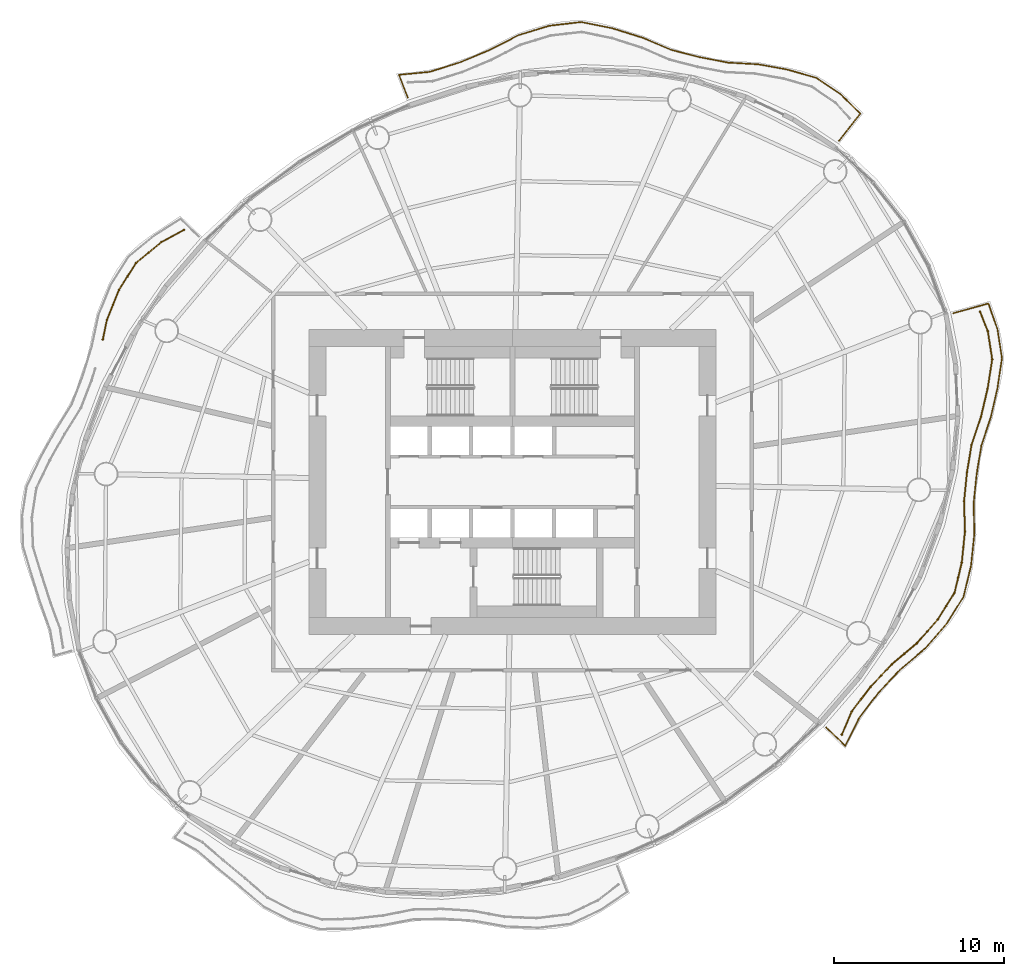
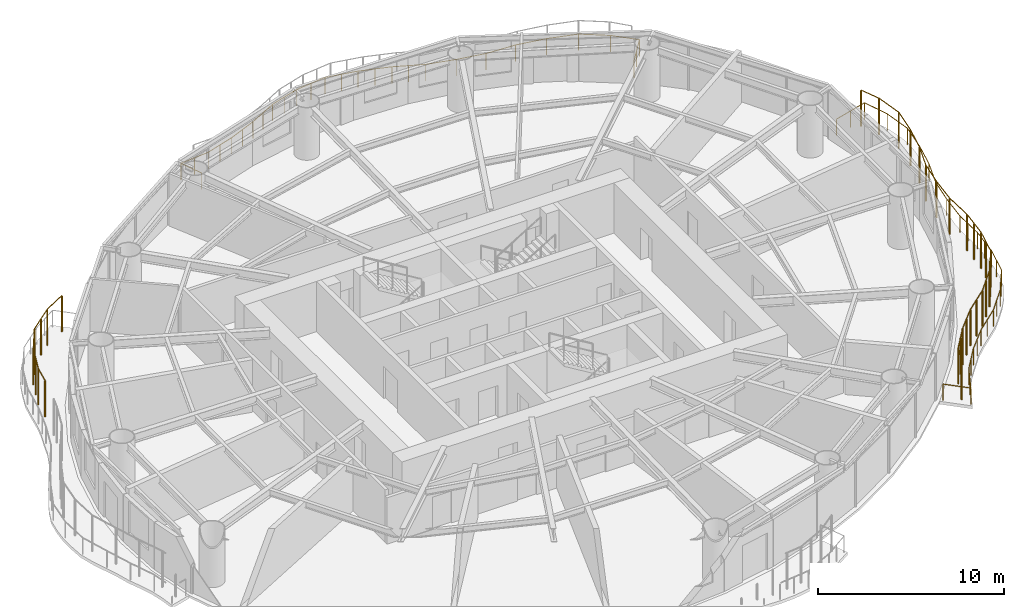
# One storey, part 14 of 15: 4 railings.
"""IFC4 building model written with IfcOpenShell, lengths in metres."""

from ifc_helpers import new_model, si_unit, direction, frame, origin, origin_2d, place, context, subcontext, project, spatial, circle, extrude, material, type_object, element, save


model = new_model("IFC4")

# Units and contexts
model_context = context("Model", 3, precision=1e-05, world=origin(), true_north=direction((0.0, 1.0)))
body_context = subcontext(model_context, "Body", "Model", "MODEL_VIEW")
ifc_project = project(units=[si_unit("LENGTHUNIT", "METRE"), si_unit("AREAUNIT", "SQUARE_METRE"), si_unit("VOLUMEUNIT", "CUBIC_METRE"), si_unit("PLANEANGLEUNIT", "RADIAN"), si_unit("MASSUNIT", "GRAM", prefix="KILO")], contexts=[model_context])

# Site, building, storey
site_placement = place(None, origin())
site = spatial("IfcSite", under=ifc_project, at=site_placement, CompositionType="ELEMENT")
building_placement = place(site_placement, origin())
building = spatial("IfcBuilding", under=site, at=building_placement, Name="Vermilion Reach Broadcast Tower", CompositionType="ELEMENT")
storey_placement = place(building_placement, frame((0.0, 0.0, 168.60009765625)))
storey = spatial("IfcBuildingStorey", under=building, at=storey_placement, Name="L40", CompositionType="ELEMENT", Elevation=168.60009765625)

# Railings
ifc_material_1 = material(Name="Terracotta baguette", Category="masonry")
railing_type_1 = type_object("IfcRailingType", Name="BAGUETTE SCREEN", PredefinedType="USERDEFINED", material=ifc_material_1)
railing_1_placement = place(storey_placement, frame((-25.376708984375, 14.862060546875, 0.0)))
element("IfcRailing", 1, at=railing_1_placement, inside=storey, type_object=railing_type_1, Name="Baguette screen L40 group 2 part 1", ObjectType="BAGUETTE SCREEN", PredefinedType="USERDEFINED", context=body_context, shape_type="SweptSolid", body=[
    extrude(circle(Radius=0.030029296875, at=origin_2d()), frame((0.0, 0.0, 2.369873046875), z_axis=(-0.878532833065, -0.477681966613, 0.0), x_axis=(0.477681966613, -0.878532833065, 0.0)), (0.0, 0.0, 1.0), 1.506103515625),
    extrude(circle(Radius=0.030029296875, at=origin_2d()), frame((-1.3232421875, -0.719482421875, 2.369873046875), z_axis=(-0.772163007651, -0.635424495606, 0.0), x_axis=(0.635424495606, -0.772163007651, 0.0)), (0.0, 0.0, 1.0), 1.937255859375),
    extrude(circle(Radius=0.030029296875, at=origin_2d()), frame((-2.819091796875, -1.950439453125, 2.369873046875), z_axis=(-0.53445646002, -0.845196008239, 0.0), x_axis=(0.845196008239, -0.53445646002, 0.0)), (0.0, 0.0, 1.0), 1.882568359375),
    extrude(circle(Radius=0.030029296875, at=origin_2d()), frame((-3.8251953125, -3.54150390625, 2.369873046875), z_axis=(-0.372297689537, -0.928113371504, 0.0), x_axis=(0.928113371504, -0.372297689537, 0.0)), (0.0, 0.0, 1.0), 1.90234375),
    extrude(circle(Radius=0.030029296875, at=origin_2d()), frame((-4.533447265625, -5.30712890625, 2.369873046875), z_axis=(-0.205612713638, -0.978633441075, 0.0), x_axis=(0.978633441075, -0.205612713638, 0.0)), (0.0, 0.0, 1.0), 1.175537109375),
    extrude(circle(Radius=0.050048828125, at=origin_2d()), origin(), (0.0, 0.0, 1.0), 2.33984375),
    extrude(circle(Radius=0.050048828125, at=origin_2d()), frame((-1.3232421875, -0.719482421875, 0.0)), (0.0, 0.0, 1.0), 2.33984375),
    extrude(circle(Radius=0.050048828125, at=origin_2d()), frame((-2.0712890625, -1.3349609375, 0.0)), (0.0, 0.0, 1.0), 2.33984375),
    extrude(circle(Radius=0.050048828125, at=origin_2d()), frame((-2.819091796875, -1.950439453125, 0.0)), (0.0, 0.0, 1.0), 2.33984375),
    extrude(circle(Radius=0.050048828125, at=origin_2d()), frame((-3.322265625, -2.74609375, 0.0)), (0.0, 0.0, 1.0), 2.33984375),
    extrude(circle(Radius=0.050048828125, at=origin_2d()), frame((-3.8251953125, -3.54150390625, 0.0)), (0.0, 0.0, 1.0), 2.33984375),
    extrude(circle(Radius=0.050048828125, at=origin_2d()), frame((-4.17919921875, -4.42431640625, 0.0)), (0.0, 0.0, 1.0), 2.33984375),
    extrude(circle(Radius=0.050048828125, at=origin_2d()), frame((-4.533447265625, -5.30712890625, 0.0)), (0.0, 0.0, 1.0), 2.33984375),
    extrude(circle(Radius=0.050048828125, at=origin_2d()), frame((-4.775146484375, -6.45751953125, 0.0)), (0.0, 0.0, 1.0), 2.33984375),
])
railing_2_placement = place(storey_placement, frame((13.416015625, -14.89990234375, 0.0)))
element("IfcRailing", 2, at=railing_2_placement, inside=storey, type_object=railing_type_1, Name="Baguette screen L40 group 4", ObjectType="BAGUETTE SCREEN", PredefinedType="USERDEFINED", context=body_context, shape_type="SweptSolid", body=[
    extrude(circle(Radius=0.030029296875, at=origin_2d()), frame((0.0, 0.0, 2.369873046875), z_axis=(0.392746879115, 0.919646610903, 0.0), x_axis=(-0.919646610903, 0.392746879115, 0.0)), (0.0, 0.0, 1.0), 1.483154296875),
    extrude(circle(Radius=0.030029296875, at=origin_2d()), frame((0.58251953125, 1.364013671875, 2.369873046875), z_axis=(0.606808215665, 0.794848280743, 0.0), x_axis=(-0.794848280743, 0.606808215665, 0.0)), (0.0, 0.0, 1.0), 1.8359375),
    extrude(circle(Radius=0.030029296875, at=origin_2d()), frame((1.696533203125, 2.8232421875, 2.369873046875), z_axis=(0.685735774565, 0.727850566725, 0.0), x_axis=(-0.727850566725, 0.685735774565, 0.0)), (0.0, 0.0, 1.0), 1.826171875),
    extrude(circle(Radius=0.030029296875, at=origin_2d()), frame((2.94873046875, 4.15234375, 2.369873046875), z_axis=(0.76537203757, 0.643588101278, 0.0), x_axis=(-0.643588101278, 0.76537203757, 0.0)), (0.0, 0.0, 1.0), 1.922607421875),
    extrude(circle(Radius=0.030029296875, at=origin_2d()), frame((4.420166015625, 5.3896484375, 2.369873046875), z_axis=(0.661945438349, 0.749552023977, 0.0), x_axis=(-0.749552023977, 0.661945438349, 0.0)), (0.0, 0.0, 1.0), 1.869873046875),
    extrude(circle(Radius=0.030029296875, at=origin_2d()), frame((5.657958984375, 6.791259765625, 2.369873046875), z_axis=(0.531518746276, 0.847046529039, 0.0), x_axis=(-0.847046529039, 0.531518746276, 0.0)), (0.0, 0.0, 1.0), 1.861572265625),
    extrude(circle(Radius=0.030029296875, at=origin_2d()), frame((6.6474609375, 8.3681640625, 2.369873046875), z_axis=(0.232383931365, 0.972624135236, 0.0), x_axis=(-0.972624135236, 0.232383931365, 0.0)), (0.0, 0.0, 1.0), 1.830078125),
    extrude(circle(Radius=0.030029296875, at=origin_2d()), frame((7.07275390625, 10.148193359375, 2.369873046875), z_axis=(0.101081742623, 0.994878123846, 0.0), x_axis=(-0.994878123846, 0.101081742623, 0.0)), (0.0, 0.0, 1.0), 1.838134765625),
    extrude(circle(Radius=0.030029296875, at=origin_2d()), frame((7.258544921875, 11.976806640625, 2.369873046875), z_axis=(-0.027491307366, 0.999622042584, 0.0), x_axis=(-0.999622042584, -0.027491307366, 0.0)), (0.0, 0.0, 1.0), 1.7939453125),
    extrude(circle(Radius=0.030029296875, at=origin_2d()), frame((7.209228515625, 13.77001953125, 2.369873046875), z_axis=(0.100027938376, 0.994984628798, 0.0), x_axis=(-0.994984628798, 0.100027938376, 0.0)), (0.0, 0.0, 1.0), 1.7060546875),
    extrude(circle(Radius=0.030029296875, at=origin_2d()), frame((7.3798828125, 15.467529296875, 2.369873046875), z_axis=(0.16358418541, 0.986529378318, 0.0), x_axis=(-0.986529378318, 0.16358418541, 0.0)), (0.0, 0.0, 1.0), 1.652099609375),
    extrude(circle(Radius=0.030029296875, at=origin_2d()), frame((7.650146484375, 17.097412109375, 2.369873046875), z_axis=(0.319357552784, 0.947634293111, 0.0), x_axis=(-0.947634293111, 0.319357552784, 0.0)), (0.0, 0.0, 1.0), 1.730712890625),
    extrude(circle(Radius=0.030029296875, at=origin_2d()), frame((8.202880859375, 18.737548828125, 2.369873046875), z_axis=(0.230167879984, 0.973150937431, 0.0), x_axis=(-0.973150937431, 0.230167879984, 0.0)), (0.0, 0.0, 1.0), 1.7119140625),
    extrude(circle(Radius=0.030029296875, at=origin_2d()), frame((8.596923828125, 20.403564453125, 2.369873046875), z_axis=(0.155029297995, 0.987909872794, 0.0), x_axis=(-0.987909872794, 0.155029297995, 0.0)), (0.0, 0.0, 1.0), 1.746337890625),
    extrude(circle(Radius=0.030029296875, at=origin_2d()), frame((8.86767578125, 22.12890625, 2.369873046875), z_axis=(-0.154350278564, 0.988016189901, 0.0), x_axis=(-0.988016189901, -0.154350278564, 0.0)), (0.0, 0.0, 1.0), 1.6796875),
    extrude(circle(Radius=0.030029296875, at=origin_2d()), frame((8.6083984375, 23.78857421875, 2.369873046875), z_axis=(-0.370340356415, 0.928896130044, 0.0), x_axis=(-0.928896130044, -0.370340356415, 0.0)), (0.0, 0.0, 1.0), 1.24267578125),
    extrude(circle(Radius=0.050048828125, at=origin_2d()), origin(), (0.0, 0.0, 1.0), 2.33984375),
    extrude(circle(Radius=0.050048828125, at=origin_2d()), frame((0.58251953125, 1.364013671875, 0.0)), (0.0, 0.0, 1.0), 2.33984375),
    extrude(circle(Radius=0.050048828125, at=origin_2d()), frame((1.1396484375, 2.09375, 0.0)), (0.0, 0.0, 1.0), 2.33984375),
    extrude(circle(Radius=0.050048828125, at=origin_2d()), frame((1.696533203125, 2.8232421875, 0.0)), (0.0, 0.0, 1.0), 2.33984375),
    extrude(circle(Radius=0.050048828125, at=origin_2d()), frame((2.32275390625, 3.48779296875, 0.0)), (0.0, 0.0, 1.0), 2.33984375),
    extrude(circle(Radius=0.050048828125, at=origin_2d()), frame((2.94873046875, 4.15234375, 0.0)), (0.0, 0.0, 1.0), 2.33984375),
    extrude(circle(Radius=0.050048828125, at=origin_2d()), frame((3.6845703125, 4.77099609375, 0.0)), (0.0, 0.0, 1.0), 2.33984375),
    extrude(circle(Radius=0.050048828125, at=origin_2d()), frame((4.420166015625, 5.3896484375, 0.0)), (0.0, 0.0, 1.0), 2.33984375),
    extrude(circle(Radius=0.050048828125, at=origin_2d()), frame((5.0390625, 6.09033203125, 0.0)), (0.0, 0.0, 1.0), 2.33984375),
    extrude(circle(Radius=0.050048828125, at=origin_2d()), frame((5.657958984375, 6.791259765625, 0.0)), (0.0, 0.0, 1.0), 2.33984375),
    extrude(circle(Radius=0.050048828125, at=origin_2d()), frame((6.15283203125, 7.57958984375, 0.0)), (0.0, 0.0, 1.0), 2.33984375),
    extrude(circle(Radius=0.050048828125, at=origin_2d()), frame((6.6474609375, 8.3681640625, 0.0)), (0.0, 0.0, 1.0), 2.33984375),
    extrude(circle(Radius=0.050048828125, at=origin_2d()), frame((6.860107421875, 9.25830078125, 0.0)), (0.0, 0.0, 1.0), 2.33984375),
    extrude(circle(Radius=0.050048828125, at=origin_2d()), frame((7.07275390625, 10.148193359375, 0.0)), (0.0, 0.0, 1.0), 2.33984375),
    extrude(circle(Radius=0.050048828125, at=origin_2d()), frame((7.16552734375, 11.0625, 0.0)), (0.0, 0.0, 1.0), 2.33984375),
    extrude(circle(Radius=0.050048828125, at=origin_2d()), frame((7.258544921875, 11.976806640625, 0.0)), (0.0, 0.0, 1.0), 2.33984375),
    extrude(circle(Radius=0.050048828125, at=origin_2d()), frame((7.209228515625, 13.77001953125, 0.0)), (0.0, 0.0, 1.0), 2.33984375),
    extrude(circle(Radius=0.050048828125, at=origin_2d()), frame((7.3798828125, 15.467529296875, 0.0)), (0.0, 0.0, 1.0), 2.33984375),
    extrude(circle(Radius=0.050048828125, at=origin_2d()), frame((7.650146484375, 17.097412109375, 0.0)), (0.0, 0.0, 1.0), 2.33984375),
    extrude(circle(Radius=0.050048828125, at=origin_2d()), frame((8.202880859375, 18.737548828125, 0.0)), (0.0, 0.0, 1.0), 2.33984375),
    extrude(circle(Radius=0.050048828125, at=origin_2d()), frame((8.596923828125, 20.403564453125, 0.0)), (0.0, 0.0, 1.0), 2.33984375),
    extrude(circle(Radius=0.050048828125, at=origin_2d()), frame((8.86767578125, 22.12890625, 0.0)), (0.0, 0.0, 1.0), 2.33984375),
    extrude(circle(Radius=0.050048828125, at=origin_2d()), frame((8.6083984375, 23.78857421875, 0.0)), (0.0, 0.0, 1.0), 2.33984375),
    extrude(circle(Radius=0.050048828125, at=origin_2d()), frame((8.148193359375, 24.94287109375, 0.0)), (0.0, 0.0, 1.0), 2.33984375),
])
ifc_material_2 = material(Name="Stainless steel 316 balustrade", Category="steel")
railing_type_2 = type_object("IfcRailingType", Name="Balcony guard 1100", PredefinedType="BALUSTRADE", material=ifc_material_2)
railing_3_placement = place(storey_placement, frame((13.244384765625, 20.1083984375, 0.0)))
element("IfcRailing", 3, at=railing_3_placement, inside=storey, type_object=railing_type_2, Name="Balcony guard L40 group 1", PredefinedType="BALUSTRADE", context=body_context, shape_type="SweptSolid", body=[
    extrude(circle(Radius=0.02490234375, at=origin_2d()), frame((0.0, 0.0, 1.0751953125), z_axis=(0.620116079359, 0.784510068846, 0.0), x_axis=(-0.784510068846, 0.620116079359, 0.0)), (0.0, 0.0, 1.0), 2.04638671875),
    extrude(circle(Radius=0.02490234375, at=origin_2d()), frame((1.26904296875, 1.60546875, 1.0751953125), z_axis=(-0.714173555911, 0.69996866504, 0.0), x_axis=(-0.69996866504, -0.714173555911, 0.0)), (0.0, 0.0, 1.0), 1.615478515625),
    extrude(circle(Radius=0.02490234375, at=origin_2d()), frame((0.115234375, 2.736328125, 1.0751953125), z_axis=(-0.826302184421, 0.563227041273, 0.0), x_axis=(-0.563227041273, -0.826302184421, 0.0)), (0.0, 0.0, 1.0), 1.72509765625),
    extrude(circle(Radius=0.02490234375, at=origin_2d()), frame((-1.310302734375, 3.7080078125, 1.0751953125), z_axis=(-0.960838328602, 0.277109556473, 0.0), x_axis=(-0.277109556473, -0.960838328602, 0.0)), (0.0, 0.0, 1.0), 1.781494140625),
    extrude(circle(Radius=0.02490234375, at=origin_2d()), frame((-3.02197265625, 4.20166015625, 1.0751953125), z_axis=(-0.984007451338, 0.178127301979, 0.0), x_axis=(-0.178127301979, -0.984007451338, 0.0)), (0.0, 0.0, 1.0), 1.757080078125),
    extrude(circle(Radius=0.02490234375, at=origin_2d()), frame((-4.7509765625, 4.5146484375, 1.0751953125), z_axis=(-0.998394134467, 0.056649380066, 0.0), x_axis=(-0.056649380066, -0.998394134467, 0.0)), (0.0, 0.0, 1.0), 1.78857421875),
    extrude(circle(Radius=0.02490234375, at=origin_2d()), frame((-6.53662109375, 4.615966796875, 1.0751953125), z_axis=(-0.982262970498, 0.187508551241, 0.0), x_axis=(-0.187508551241, -0.982262970498, 0.0)), (0.0, 0.0, 1.0), 1.69775390625),
    extrude(circle(Radius=0.02490234375, at=origin_2d()), frame((-8.204345703125, 4.934326171875, 1.0751953125), z_axis=(-0.968584899006, 0.248683118482, 0.0), x_axis=(-0.248683118482, -0.968584899006, 0.0)), (0.0, 0.0, 1.0), 1.736572265625),
    extrude(circle(Radius=0.02490234375, at=origin_2d()), frame((-9.886474609375, 5.3662109375, 1.0751953125), z_axis=(-0.920656586612, 0.390373474417, 0.0), x_axis=(-0.390373474417, -0.920656586612, 0.0)), (0.0, 0.0, 1.0), 1.81298828125),
    extrude(circle(Radius=0.02490234375, at=origin_2d()), frame((-11.5556640625, 6.073974609375, 1.0751953125), z_axis=(-0.953767641297, 0.300544982349, 0.0), x_axis=(-0.300544982349, -0.953767641297, 0.0)), (0.0, 0.0, 1.0), 1.873291015625),
    extrude(circle(Radius=0.02490234375, at=origin_2d()), frame((-13.34228515625, 6.636962890625, 1.0751953125), z_axis=(-0.980253658042, 0.197744193077, 0.0), x_axis=(-0.197744193077, -0.980253658042, 0.0)), (0.0, 0.0, 1.0), 1.874267578125),
    extrude(circle(Radius=0.02490234375, at=origin_2d()), frame((-15.179443359375, 7.007568359375, 1.0751953125), z_axis=(-0.99337609926, -0.114908334851, 0.0), x_axis=(0.114908334851, -0.99337609926, 0.0)), (0.0, 0.0, 1.0), 1.890869140625),
    extrude(circle(Radius=0.02490234375, at=origin_2d()), frame((-17.057861328125, 6.790283203125, 1.0751953125), z_axis=(-0.956911848093, -0.290378571831, 0.0), x_axis=(0.290378571831, -0.956911848093, 0.0)), (0.0, 0.0, 1.0), 1.8984375),
    extrude(circle(Radius=0.02490234375, at=origin_2d()), frame((-18.87451171875, 6.239013671875, 1.0751953125), z_axis=(-0.889756647194, -0.456435218595, 0.0), x_axis=(0.456435218595, -0.889756647194, 0.0)), (0.0, 0.0, 1.0), 1.964599609375),
    extrude(circle(Radius=0.02490234375, at=origin_2d()), frame((-20.62255859375, 5.34228515625, 1.0751953125), z_axis=(-0.9237736145, -0.382939041042, 0.0), x_axis=(0.382939041042, -0.9237736145, 0.0)), (0.0, 0.0, 1.0), 1.87255859375),
    extrude(circle(Radius=0.02490234375, at=origin_2d()), frame((-22.352294921875, 4.625244140625, 1.0751953125), z_axis=(-0.954452056376, -0.29836432776, 0.0), x_axis=(0.29836432776, -0.954452056376, 0.0)), (0.0, 0.0, 1.0), 1.8671875),
    extrude(circle(Radius=0.02490234375, at=origin_2d()), frame((-24.134521484375, 4.068115234375, 1.0751953125), z_axis=(-0.995463923456, -0.095139776629, 0.0), x_axis=(0.095139776629, -0.995463923456, 0.0)), (0.0, 0.0, 1.0), 1.811767578125),
    extrude(circle(Radius=0.02490234375, at=origin_2d()), frame((-25.93798828125, 3.895751953125, 1.0751953125), z_axis=(0.361596896621, -0.932334534571, 0.0), x_axis=(0.932334534571, 0.361596896621, 0.0)), (0.0, 0.0, 1.0), 1.44287109375),
    extrude(circle(Radius=0.02490234375, at=origin_2d()), origin(), (0.0, 0.0, 1.0), 1.050048828125),
    extrude(circle(Radius=0.02490234375, at=origin_2d()), frame((0.634521484375, 0.802734375, 0.0)), (0.0, 0.0, 1.0), 1.050048828125),
    extrude(circle(Radius=0.02490234375, at=origin_2d()), frame((1.26904296875, 1.60546875, 0.0)), (0.0, 0.0, 1.0), 1.050048828125),
    extrude(circle(Radius=0.02490234375, at=origin_2d()), frame((0.115234375, 2.736328125, 0.0)), (0.0, 0.0, 1.0), 1.050048828125),
    extrude(circle(Radius=0.02490234375, at=origin_2d()), frame((-1.310302734375, 3.7080078125, 0.0)), (0.0, 0.0, 1.0), 1.050048828125),
    extrude(circle(Radius=0.02490234375, at=origin_2d()), frame((-3.02197265625, 4.20166015625, 0.0)), (0.0, 0.0, 1.0), 1.050048828125),
    extrude(circle(Radius=0.02490234375, at=origin_2d()), frame((-4.7509765625, 4.5146484375, 0.0)), (0.0, 0.0, 1.0), 1.050048828125),
    extrude(circle(Radius=0.02490234375, at=origin_2d()), frame((-6.53662109375, 4.615966796875, 0.0)), (0.0, 0.0, 1.0), 1.050048828125),
    extrude(circle(Radius=0.02490234375, at=origin_2d()), frame((-8.204345703125, 4.934326171875, 0.0)), (0.0, 0.0, 1.0), 1.050048828125),
    extrude(circle(Radius=0.02490234375, at=origin_2d()), frame((-9.886474609375, 5.3662109375, 0.0)), (0.0, 0.0, 1.0), 1.050048828125),
    extrude(circle(Radius=0.02490234375, at=origin_2d()), frame((-10.72119140625, 5.72021484375, 0.0)), (0.0, 0.0, 1.0), 1.050048828125),
    extrude(circle(Radius=0.02490234375, at=origin_2d()), frame((-11.5556640625, 6.073974609375, 0.0)), (0.0, 0.0, 1.0), 1.050048828125),
    extrude(circle(Radius=0.02490234375, at=origin_2d()), frame((-12.448974609375, 6.35546875, 0.0)), (0.0, 0.0, 1.0), 1.050048828125),
    extrude(circle(Radius=0.02490234375, at=origin_2d()), frame((-13.34228515625, 6.636962890625, 0.0)), (0.0, 0.0, 1.0), 1.050048828125),
    extrude(circle(Radius=0.02490234375, at=origin_2d()), frame((-14.2607421875, 6.822265625, 0.0)), (0.0, 0.0, 1.0), 1.050048828125),
    extrude(circle(Radius=0.02490234375, at=origin_2d()), frame((-15.179443359375, 7.007568359375, 0.0)), (0.0, 0.0, 1.0), 1.050048828125),
    extrude(circle(Radius=0.02490234375, at=origin_2d()), frame((-16.11865234375, 6.89892578125, 0.0)), (0.0, 0.0, 1.0), 1.050048828125),
    extrude(circle(Radius=0.02490234375, at=origin_2d()), frame((-17.057861328125, 6.790283203125, 0.0)), (0.0, 0.0, 1.0), 1.050048828125),
    extrude(circle(Radius=0.02490234375, at=origin_2d()), frame((-17.96630859375, 6.5146484375, 0.0)), (0.0, 0.0, 1.0), 1.050048828125),
    extrude(circle(Radius=0.02490234375, at=origin_2d()), frame((-18.87451171875, 6.239013671875, 0.0)), (0.0, 0.0, 1.0), 1.050048828125),
    extrude(circle(Radius=0.02490234375, at=origin_2d()), frame((-19.74853515625, 5.79052734375, 0.0)), (0.0, 0.0, 1.0), 1.050048828125),
    extrude(circle(Radius=0.02490234375, at=origin_2d()), frame((-20.62255859375, 5.34228515625, 0.0)), (0.0, 0.0, 1.0), 1.050048828125),
    extrude(circle(Radius=0.02490234375, at=origin_2d()), frame((-21.4873046875, 4.98388671875, 0.0)), (0.0, 0.0, 1.0), 1.050048828125),
    extrude(circle(Radius=0.02490234375, at=origin_2d()), frame((-22.352294921875, 4.625244140625, 0.0)), (0.0, 0.0, 1.0), 1.050048828125),
    extrude(circle(Radius=0.02490234375, at=origin_2d()), frame((-23.243408203125, 4.3466796875, 0.0)), (0.0, 0.0, 1.0), 1.050048828125),
    extrude(circle(Radius=0.02490234375, at=origin_2d()), frame((-24.134521484375, 4.068115234375, 0.0)), (0.0, 0.0, 1.0), 1.050048828125),
    extrude(circle(Radius=0.02490234375, at=origin_2d()), frame((-25.0361328125, 3.98193359375, 0.0)), (0.0, 0.0, 1.0), 1.050048828125),
    extrude(circle(Radius=0.02490234375, at=origin_2d()), frame((-25.93798828125, 3.895751953125, 0.0)), (0.0, 0.0, 1.0), 1.050048828125),
    extrude(circle(Radius=0.02490234375, at=origin_2d()), frame((-25.416259765625, 2.550537109375, 0.0)), (0.0, 0.0, 1.0), 1.050048828125),
])
railing_4_placement = place(storey_placement, frame((12.496826171875, -14.470458984375, 0.0)))
element("IfcRailing", 4, at=railing_4_placement, inside=storey, type_object=railing_type_2, Name="Balcony guard L40 group 4", PredefinedType="BALUSTRADE", context=body_context, shape_type="SweptSolid", body=[
    extrude(circle(Radius=0.02490234375, at=origin_2d()), frame((0.0, 0.0, 1.0751953125), z_axis=(0.719379855967, -0.694616889248, 0.0), x_axis=(0.694616889248, 0.719379855967, 0.0)), (0.0, 0.0, 1.0), 1.5576171875),
    extrude(circle(Radius=0.02490234375, at=origin_2d()), frame((1.12060546875, -1.08203125, 1.0751953125), z_axis=(0.447746865443, 0.894160357255, 0.0), x_axis=(-0.894160357255, 0.447746865443, 0.0)), (0.0, 0.0, 1.0), 1.8310546875),
    extrude(circle(Radius=0.02490234375, at=origin_2d()), frame((1.9404296875, 0.55517578125, 1.0751953125), z_axis=(0.607270659475, 0.794495025875, 0.0), x_axis=(-0.794495025875, 0.607270659475, 0.0)), (0.0, 0.0, 1.0), 1.86865234375),
    extrude(circle(Radius=0.02490234375, at=origin_2d()), frame((3.0751953125, 2.039794921875, 1.0751953125), z_axis=(0.684150848232, 0.729340535596, 0.0), x_axis=(-0.729340535596, 0.684150848232, 0.0)), (0.0, 0.0, 1.0), 1.8583984375),
    extrude(circle(Radius=0.02490234375, at=origin_2d()), frame((4.3466796875, 3.395263671875, 1.0751953125), z_axis=(0.762053335068, 0.647514258153, 0.0), x_axis=(-0.647514258153, 0.762053335068, 0.0)), (0.0, 0.0, 1.0), 1.95458984375),
    extrude(circle(Radius=0.02490234375, at=origin_2d()), frame((5.836181640625, 4.660888671875, 1.0751953125), z_axis=(0.659076546432, 0.752075864486, 0.0), x_axis=(-0.752075864486, 0.659076546432, 0.0)), (0.0, 0.0, 1.0), 1.9033203125),
    extrude(circle(Radius=0.02490234375, at=origin_2d()), frame((7.090576171875, 6.09228515625, 1.0751953125), z_axis=(0.529894811901, 0.848063375179, 0.0), x_axis=(-0.848063375179, 0.529894811901, 0.0)), (0.0, 0.0, 1.0), 1.896728515625),
    extrude(circle(Radius=0.02490234375, at=origin_2d()), frame((8.095703125, 7.700927734375, 1.0751953125), z_axis=(0.235352755546, 0.971910016646, 0.0), x_axis=(-0.971910016646, 0.235352755546, 0.0)), (0.0, 0.0, 1.0), 1.865234375),
    extrude(circle(Radius=0.02490234375, at=origin_2d()), frame((8.53466796875, 9.513671875, 1.0751953125), z_axis=(0.105498333797, 0.99441947968, 0.0), x_axis=(-0.99441947968, 0.105498333797, 0.0)), (0.0, 0.0, 1.0), 1.87451171875),
    extrude(circle(Radius=0.02490234375, at=origin_2d()), frame((8.732421875, 11.377685546875, 1.0751953125), z_axis=(-0.02175139294, 0.999763410465, 0.0), x_axis=(-0.999763410465, -0.02175139294, 0.0)), (0.0, 0.0, 1.0), 1.82958984375),
    extrude(circle(Radius=0.02490234375, at=origin_2d()), frame((8.692626953125, 13.206787109375, 1.0751953125), z_axis=(0.102273817751, 0.994756284827, 0.0), x_axis=(-0.994756284827, 0.102273817751, 0.0)), (0.0, 0.0, 1.0), 1.744873046875),
    extrude(circle(Radius=0.02490234375, at=origin_2d()), frame((8.87109375, 14.942626953125, 1.0751953125), z_axis=(0.162970922454, 0.986630872431, 0.0), x_axis=(-0.986630872431, 0.162970922454, 0.0)), (0.0, 0.0, 1.0), 1.69140625),
    extrude(circle(Radius=0.02490234375, at=origin_2d()), frame((9.146728515625, 16.611328125, 1.0751953125), z_axis=(0.313537846954, 0.949575704474, 0.0), x_axis=(-0.949575704474, 0.313537846954, 0.0)), (0.0, 0.0, 1.0), 1.770751953125),
    extrude(circle(Radius=0.02490234375, at=origin_2d()), frame((9.701904296875, 18.292724609375, 1.0751953125), z_axis=(0.224594933881, 0.97445221313, 0.0), x_axis=(-0.97445221313, 0.224594933881, 0.0)), (0.0, 0.0, 1.0), 1.752197265625),
    extrude(circle(Radius=0.02490234375, at=origin_2d()), frame((10.095458984375, 20.000244140625, 1.0751953125), z_axis=(0.149502037043, 0.988761417593, 0.0), x_axis=(-0.988761417593, 0.149502037043, 0.0)), (0.0, 0.0, 1.0), 1.7880859375),
    extrude(circle(Radius=0.02490234375, at=origin_2d()), frame((10.36279296875, 21.768310546875, 1.0751953125), z_axis=(-0.154420096847, 0.988005280193, 0.0), x_axis=(-0.988005280193, -0.154420096847, 0.0)), (0.0, 0.0, 1.0), 1.723388671875),
    extrude(circle(Radius=0.02490234375, at=origin_2d()), frame((10.0966796875, 23.470947265625, 1.0751953125), z_axis=(-0.33108534824, 0.94360081188, 0.0), x_axis=(-0.94360081188, -0.33108534824, 0.0)), (0.0, 0.0, 1.0), 1.61279296875),
    extrude(circle(Radius=0.02490234375, at=origin_2d()), frame((9.562744140625, 24.99267578125, 1.0751953125), z_axis=(-0.963501587494, -0.26770261653, 0.0), x_axis=(0.26770261653, -0.963501587494, 0.0)), (0.0, 0.0, 1.0), 2.14306640625),
    extrude(circle(Radius=0.02490234375, at=origin_2d()), origin(), (0.0, 0.0, 1.0), 1.050048828125),
    extrude(circle(Radius=0.02490234375, at=origin_2d()), frame((1.12060546875, -1.08203125, 0.0)), (0.0, 0.0, 1.0), 1.050048828125),
    extrude(circle(Radius=0.02490234375, at=origin_2d()), frame((1.530517578125, -0.263427734375, 0.0)), (0.0, 0.0, 1.0), 1.050048828125),
    extrude(circle(Radius=0.02490234375, at=origin_2d()), frame((1.9404296875, 0.55517578125, 0.0)), (0.0, 0.0, 1.0), 1.050048828125),
    extrude(circle(Radius=0.02490234375, at=origin_2d()), frame((2.5078125, 1.29736328125, 0.0)), (0.0, 0.0, 1.0), 1.050048828125),
    extrude(circle(Radius=0.02490234375, at=origin_2d()), frame((3.0751953125, 2.039794921875, 0.0)), (0.0, 0.0, 1.0), 1.050048828125),
    extrude(circle(Radius=0.02490234375, at=origin_2d()), frame((3.7109375, 2.717529296875, 0.0)), (0.0, 0.0, 1.0), 1.050048828125),
    extrude(circle(Radius=0.02490234375, at=origin_2d()), frame((4.3466796875, 3.395263671875, 0.0)), (0.0, 0.0, 1.0), 1.050048828125),
    extrude(circle(Radius=0.02490234375, at=origin_2d()), frame((5.09130859375, 4.028076171875, 0.0)), (0.0, 0.0, 1.0), 1.050048828125),
    extrude(circle(Radius=0.02490234375, at=origin_2d()), frame((5.836181640625, 4.660888671875, 0.0)), (0.0, 0.0, 1.0), 1.050048828125),
    extrude(circle(Radius=0.02490234375, at=origin_2d()), frame((6.46337890625, 5.37646484375, 0.0)), (0.0, 0.0, 1.0), 1.050048828125),
    extrude(circle(Radius=0.02490234375, at=origin_2d()), frame((7.090576171875, 6.09228515625, 0.0)), (0.0, 0.0, 1.0), 1.050048828125),
    extrude(circle(Radius=0.02490234375, at=origin_2d()), frame((7.59326171875, 6.896484375, 0.0)), (0.0, 0.0, 1.0), 1.050048828125),
    extrude(circle(Radius=0.02490234375, at=origin_2d()), frame((8.095703125, 7.700927734375, 0.0)), (0.0, 0.0, 1.0), 1.050048828125),
    extrude(circle(Radius=0.02490234375, at=origin_2d()), frame((8.315185546875, 8.607421875, 0.0)), (0.0, 0.0, 1.0), 1.050048828125),
    extrude(circle(Radius=0.02490234375, at=origin_2d()), frame((8.53466796875, 9.513671875, 0.0)), (0.0, 0.0, 1.0), 1.050048828125),
    extrude(circle(Radius=0.02490234375, at=origin_2d()), frame((8.633544921875, 10.44580078125, 0.0)), (0.0, 0.0, 1.0), 1.050048828125),
    extrude(circle(Radius=0.02490234375, at=origin_2d()), frame((8.732421875, 11.377685546875, 0.0)), (0.0, 0.0, 1.0), 1.050048828125),
    extrude(circle(Radius=0.02490234375, at=origin_2d()), frame((8.71240234375, 12.292236328125, 0.0)), (0.0, 0.0, 1.0), 1.050048828125),
    extrude(circle(Radius=0.02490234375, at=origin_2d()), frame((8.692626953125, 13.206787109375, 0.0)), (0.0, 0.0, 1.0), 1.050048828125),
    extrude(circle(Radius=0.02490234375, at=origin_2d()), frame((8.87109375, 14.942626953125, 0.0)), (0.0, 0.0, 1.0), 1.050048828125),
    extrude(circle(Radius=0.02490234375, at=origin_2d()), frame((9.146728515625, 16.611328125, 0.0)), (0.0, 0.0, 1.0), 1.050048828125),
    extrude(circle(Radius=0.02490234375, at=origin_2d()), frame((9.701904296875, 18.292724609375, 0.0)), (0.0, 0.0, 1.0), 1.050048828125),
    extrude(circle(Radius=0.02490234375, at=origin_2d()), frame((10.095458984375, 20.000244140625, 0.0)), (0.0, 0.0, 1.0), 1.050048828125),
    extrude(circle(Radius=0.02490234375, at=origin_2d()), frame((10.36279296875, 21.768310546875, 0.0)), (0.0, 0.0, 1.0), 1.050048828125),
    extrude(circle(Radius=0.02490234375, at=origin_2d()), frame((10.0966796875, 23.470947265625, 0.0)), (0.0, 0.0, 1.0), 1.050048828125),
    extrude(circle(Radius=0.02490234375, at=origin_2d()), frame((9.562744140625, 24.99267578125, 0.0)), (0.0, 0.0, 1.0), 1.050048828125),
    extrude(circle(Radius=0.02490234375, at=origin_2d()), frame((8.5302734375, 24.705810546875, 0.0)), (0.0, 0.0, 1.0), 1.050048828125),
    extrude(circle(Radius=0.02490234375, at=origin_2d()), frame((7.497802734375, 24.4189453125, 0.0)), (0.0, 0.0, 1.0), 1.050048828125),
])

save(model, "model.ifc")
